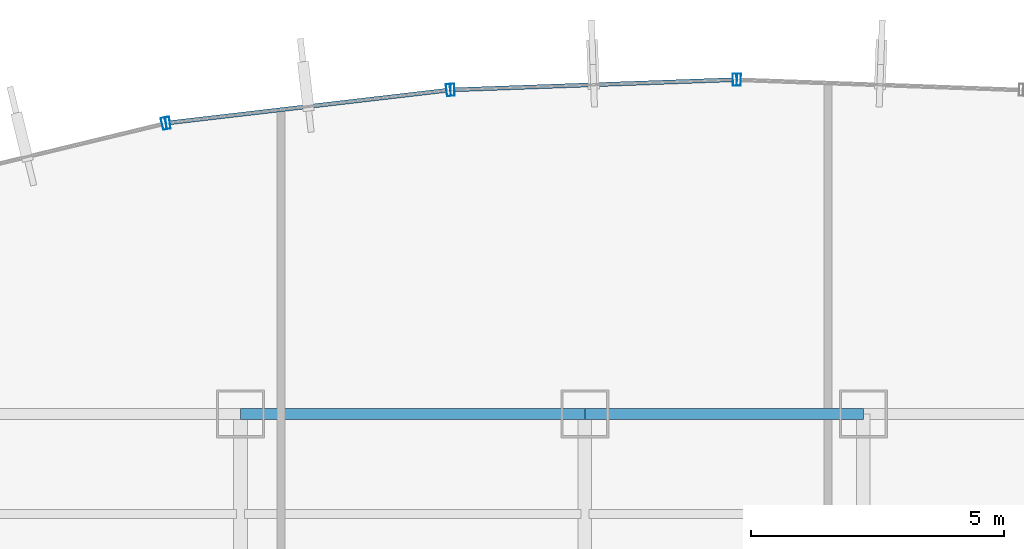
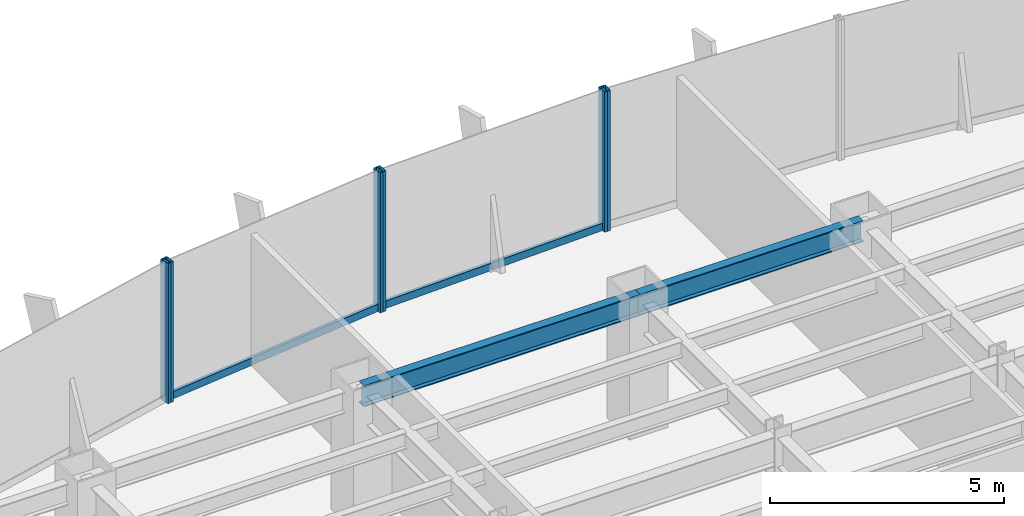
# One storey, part 12 of 22: 8 members, 2 beams, 4 elements without a shape of their own.
"""IFC4 building model written with IfcOpenShell, lengths in metres."""

from ifc_helpers import new_model, si_unit, derived_unit, direction, frame, origin, origin_2d, place, context, subcontext, project, spatial, hollow_rectangle, i_section, extrude, source, transform, mapped, material, material_profile, profile_set, type_object, element, aggregate, save


model = new_model("IFC4")

# Units and contexts
model_context = context("Model", 3, precision=1e-05, world=origin(), true_north=direction((0.0, 1.0)))
body_context = subcontext(model_context, "Body", "Model", "MODEL_VIEW")
ifc_project = project(units=[si_unit("LENGTHUNIT", "METRE"), si_unit("AREAUNIT", "SQUARE_METRE"), si_unit("VOLUMEUNIT", "CUBIC_METRE"), si_unit("PLANEANGLEUNIT", "RADIAN"), si_unit("MASSUNIT", "GRAM", prefix="KILO"), derived_unit("THERMALTRANSMITTANCEUNIT", [(si_unit("POWERUNIT", "WATT"), 1), (si_unit("LENGTHUNIT", "METRE"), -2), (si_unit("THERMODYNAMICTEMPERATUREUNIT", "KELVIN"), -1)])], contexts=[model_context])

# Site, building, storey
site_placement = place(None, origin())
site = spatial("IfcSite", under=ifc_project, at=site_placement, CompositionType="ELEMENT")
building_placement = place(site_placement, origin())
building = spatial("IfcBuilding", under=site, at=building_placement, Name="Skarnbrae Concourse Arena and Tower", CompositionType="ELEMENT")
storey_placement = place(building_placement, frame((0.0, 0.0, 36.14990234375)))
storey = spatial("IfcBuildingStorey", under=building, at=storey_placement, Name="L07", CompositionType="ELEMENT", Elevation=36.14990234375)

# Beams
ifc_material_1 = material(Name="Steel CSA G40.21 350W", Category="steel")
ifc_material_profile_1 = material_profile(ifc_material_1, i_section(OverallWidth=0.214111328125, OverallDepth=0.549072265625, WebThickness=0.0146484375, FlangeThickness=0.023681640625, at=origin_2d()), Name="W530X138")
ifc_profile_set_1 = profile_set([ifc_material_profile_1], Name="Steel CSA G40.21 350W")
beam_type = type_object("IfcBeamType", Name="BM-SPAN-W530X138", PredefinedType="SPANDREL", material=ifc_profile_set_1)
shared_shape_1 = source(origin(), body_context, "Body", "SweptSolid", [
    extrude(i_section(OverallWidth=0.214111328125, OverallDepth=0.549072265625, WebThickness=0.0146484375, FlangeThickness=0.023681640625, at=origin_2d()), origin(), (0.0, 0.0, 1.0), 6.800048828125),
])
beam_1_placement = place(storey_placement, frame((21.199951171875, 40.39990234375, 3.12548828125), z_axis=(1.0, 0.0, 0.0), x_axis=(0.0, 1.0, 0.0)))
element("IfcBeam", 1, at=beam_1_placement, inside=storey, type_object=beam_type, Name="L07 Perimeter spandrel Y40.4-3", PredefinedType="SPANDREL", context=body_context, shape_type="MappedRepresentation", body=[
    mapped(shared_shape_1, transform((0.0, 0.0, 0.0))),
])
shared_shape_2 = source(origin(), body_context, "Body", "SweptSolid", [
    extrude(i_section(OverallWidth=0.214111328125, OverallDepth=0.549072265625, WebThickness=0.0146484375, FlangeThickness=0.023681640625, at=origin_2d()), origin(), (0.0, 0.0, 1.0), 5.5),
])
beam_2_placement = place(storey_placement, frame((28.0, 40.39990234375, 3.12548828125), z_axis=(1.0, 0.0, 0.0), x_axis=(0.0, 1.0, 0.0)))
element("IfcBeam", 2, at=beam_2_placement, inside=storey, type_object=beam_type, Name="L07 Perimeter spandrel Y40.4-4", PredefinedType="SPANDREL", context=body_context, shape_type="MappedRepresentation", body=[
    mapped(shared_shape_2, transform((0.0, 0.0, 0.0))),
])

# Curtain wall, member
ifc_material_2 = material(Name="Bronze anodised aluminium 6063-T6", Category="aluminium")
curtain_wall_type = type_object("IfcCurtainWallType", Name="CW-SYS-02-LOWZONE", PredefinedType="USERDEFINED", material=ifc_material_2)
curtain_wall_1_placement = place(storey_placement, origin())
curtain_wall_1 = element("IfcCurtainWall", 3, at=curtain_wall_1_placement, inside=storey, type_object=curtain_wall_type, Name="L07 Unitised curtain wall CW-L07-E13", ObjectType="UNITISED CURTAIN WALL", PredefinedType="USERDEFINED")
ifc_material_profile_2 = material_profile(ifc_material_2, hollow_rectangle(XDim=0.080078125, YDim=0.18994140625, WallThickness=0.0048828125, at=origin_2d()), Name="ALU-TRAN-80X190")
ifc_profile_set_2 = profile_set([ifc_material_profile_2], Name="Bronze anodised aluminium 6063-T6")
member_type_1 = type_object("IfcMemberType", Name="CWT-CW-02", PredefinedType="USERDEFINED", material=ifc_profile_set_2)
shared_shape_3 = source(origin(), body_context, "Body", "SweptSolid", [
    extrude(hollow_rectangle(XDim=0.080078125, YDim=0.18994140625, WallThickness=0.0048828125, at=origin_2d()), origin(), (0.0, 0.0, 1.0), 5.49658203125),
])
member_1_placement = place(storey_placement, frame((25.2666015625, 46.78759765625, 0.09521484375), z_axis=(-0.993247281455, -0.116016541417, 0.0), x_axis=(0.116016541417, -0.993247281455, 0.0)))
member_1 = element("IfcMember", 4, at=member_1_placement, type_object=member_type_1, Name="CW-L07-E13 Transom 1", ObjectType="TRANSOM", PredefinedType="USERDEFINED", context=body_context, shape_type="MappedRepresentation", body=[
    mapped(shared_shape_3, transform((0.0, 0.0, 0.0))),
])

curtain_wall_2_placement = place(storey_placement, origin())
curtain_wall_2 = element("IfcCurtainWall", 5, at=curtain_wall_2_placement, inside=storey, type_object=curtain_wall_type, Name="L07 Unitised curtain wall CW-L07-E12", ObjectType="UNITISED CURTAIN WALL", PredefinedType="USERDEFINED")
shared_shape_4 = source(origin(), body_context, "Body", "SweptSolid", [
    extrude(hollow_rectangle(XDim=0.080078125, YDim=0.18994140625, WallThickness=0.0048828125, at=origin_2d()), origin(), (0.0, 0.0, 1.0), 5.497802734375),
])
member_2_placement = place(storey_placement, frame((30.920166015625, 46.9970703125, 0.09521484375), z_axis=(-0.999356047798, -0.03588160712, 0.0), x_axis=(0.03588160712, -0.999356047798, 0.0)))
member_2 = element("IfcMember", 6, at=member_2_placement, type_object=member_type_1, Name="CW-L07-E12 Transom 1", ObjectType="TRANSOM", PredefinedType="USERDEFINED", context=body_context, shape_type="MappedRepresentation", body=[
    mapped(shared_shape_4, transform((0.0, 0.0, 0.0))),
])

curtain_wall_3_placement = place(storey_placement, origin())
curtain_wall_3 = element("IfcCurtainWall", 7, at=curtain_wall_3_placement, inside=storey, type_object=curtain_wall_type, Name="L07 Unitised curtain wall CW-L07-E11", ObjectType="UNITISED CURTAIN WALL", PredefinedType="USERDEFINED")
ifc_material_profile_3 = material_profile(ifc_material_2, hollow_rectangle(XDim=0.080078125, YDim=0.239990234375, WallThickness=0.0048828125, at=origin_2d()), Name="ALU-MULL-80X240")
ifc_profile_set_3 = profile_set([ifc_material_profile_3], Name="Bronze anodised aluminium 6063-T6")
member_type_2 = type_object("IfcMemberType", Name="CWM-CW-02", PredefinedType="MULLION", material=ifc_profile_set_3)
shared_shape_5 = source(origin(), body_context, "Body", "SweptSolid", [
    extrude(hollow_rectangle(XDim=0.080078125, YDim=0.239990234375, WallThickness=0.0048828125, at=origin_2d()), origin(), (0.0, 0.0, 1.0), 3.650146484375),
])
member_3_placement = place(storey_placement, frame((31.0400390625, 46.99853515625, 0.0), z_axis=(0.0, 0.0, 1.0), x_axis=(-0.999355425188, 0.035898943527, 0.0)))
member_3 = element("IfcMember", 8, at=member_3_placement, type_object=member_type_2, Name="CW-L07-E11 Mullion 2", PredefinedType="MULLION", context=body_context, shape_type="MappedRepresentation", body=[
    mapped(shared_shape_5, transform((0.0, 0.0, 0.0))),
])
aggregate(curtain_wall_3, [member_3])

# Member
member_4_placement = place(storey_placement, frame((30.9599609375, 46.99853515625, 0.0), z_axis=(0.0, 0.0, 1.0), x_axis=(-0.999355425188, -0.035898943527, 0.0)))
member_4 = element("IfcMember", 9, at=member_4_placement, type_object=member_type_2, Name="CW-L07-E12 Mullion 1", PredefinedType="MULLION", context=body_context, shape_type="MappedRepresentation", body=[
    mapped(shared_shape_5, transform((0.0, 0.0, 0.0))),
])

member_5_placement = place(storey_placement, frame((25.385986328125, 46.79833984375, 0.0), z_axis=(0.0, 0.0, 1.0), x_axis=(-0.999355425188, -0.035898943527, 0.0)))
member_5 = element("IfcMember", 10, at=member_5_placement, type_object=member_type_2, Name="CW-L07-E12 Mullion 2", PredefinedType="MULLION", context=body_context, shape_type="MappedRepresentation", body=[
    mapped(shared_shape_5, transform((0.0, 0.0, 0.0))),
])

aggregate(curtain_wall_2, [member_4, member_5, member_2])

member_6_placement = place(storey_placement, frame((25.306396484375, 46.792236328125, 0.0), z_axis=(0.0, 0.0, 1.0), x_axis=(-0.99324457001, -0.116039752435, 0.0)))
member_6 = element("IfcMember", 11, at=member_6_placement, type_object=member_type_2, Name="CW-L07-E13 Mullion 1", PredefinedType="MULLION", context=body_context, shape_type="MappedRepresentation", body=[
    mapped(shared_shape_5, transform((0.0, 0.0, 0.0))),
])

member_7_placement = place(storey_placement, frame((19.767333984375, 46.14501953125, 0.0), z_axis=(0.0, 0.0, 1.0), x_axis=(-0.99324457001, -0.116039752435, 0.0)))
member_7 = element("IfcMember", 12, at=member_7_placement, type_object=member_type_2, Name="CW-L07-E13 Mullion 2", PredefinedType="MULLION", context=body_context, shape_type="MappedRepresentation", body=[
    mapped(shared_shape_5, transform((0.0, 0.0, 0.0))),
])

aggregate(curtain_wall_1, [member_6, member_7, member_1])

# Curtain wall, member
curtain_wall_4_placement = place(storey_placement, origin())
curtain_wall_4 = element("IfcCurtainWall", 13, at=curtain_wall_4_placement, inside=storey, type_object=curtain_wall_type, Name="L07 Unitised curtain wall CW-L07-E14", ObjectType="UNITISED CURTAIN WALL", PredefinedType="USERDEFINED")
member_8_placement = place(storey_placement, frame((19.688720703125, 46.131103515625, 0.0), z_axis=(0.0, 0.0, 1.0), x_axis=(-0.971973721569, -0.235089524607, 0.0)))
member_8 = element("IfcMember", 14, at=member_8_placement, type_object=member_type_2, Name="CW-L07-E14 Mullion 1", PredefinedType="MULLION", context=body_context, shape_type="MappedRepresentation", body=[
    mapped(shared_shape_5, transform((0.0, 0.0, 0.0))),
])
aggregate(curtain_wall_4, [member_8])

save(model, "model.ifc")
